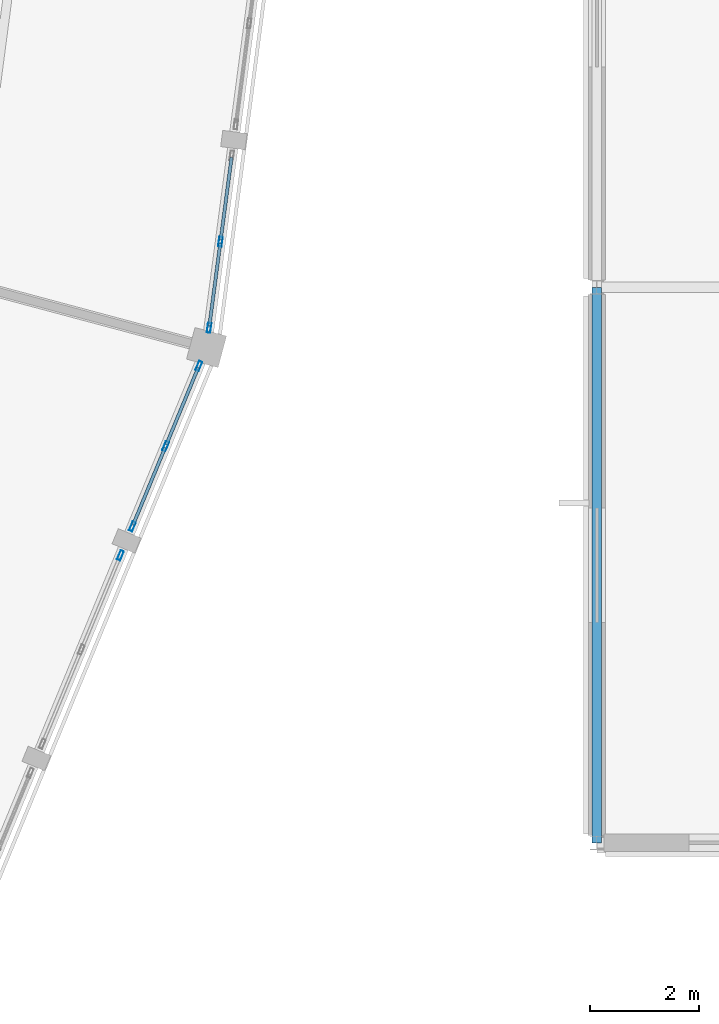
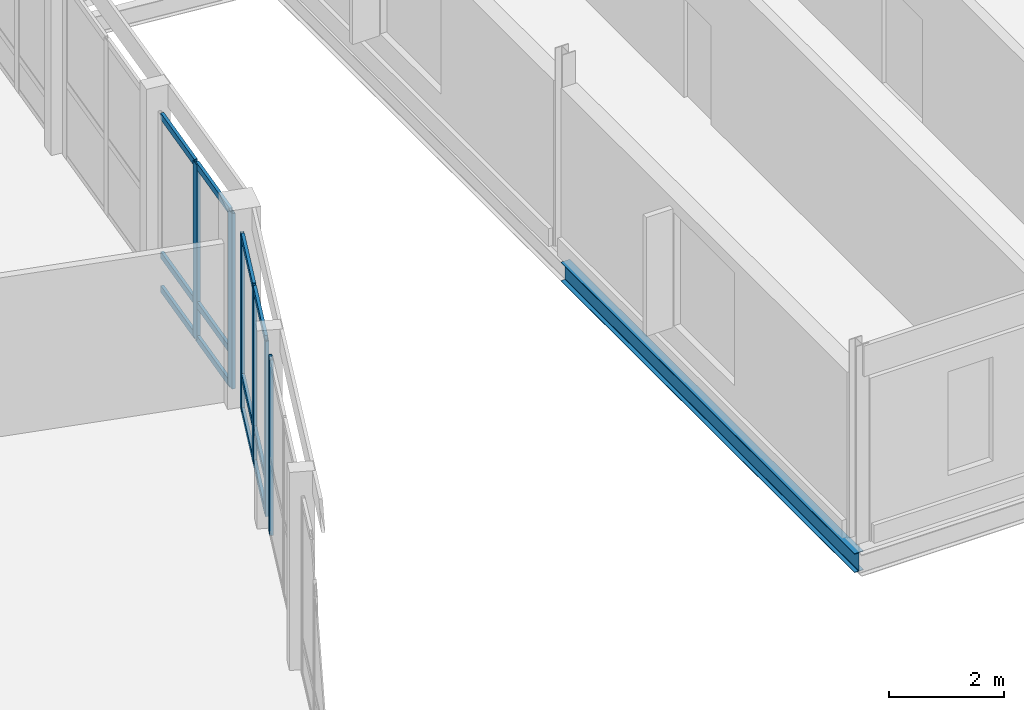
# One storey, part 101 of 170: 18 members, 1 beam, 3 elements without a shape of their own.
"""IFC4 building model written with IfcOpenShell, lengths in metres."""

from ifc_helpers import new_model, si_unit, direction, frame, origin, origin_2d, place, context, subcontext, project, spatial, hollow_rectangle, i_section, extrude, material, material_profile, profile_set, type_object, element, aggregate, save


model = new_model("IFC4")

# Units and contexts
model_context = context("Model", 3, precision=1e-05, world=origin(), true_north=direction((0.0, 1.0)))
body_context = subcontext(model_context, "Body", "Model", "MODEL_VIEW")
ifc_project = project(units=[si_unit("LENGTHUNIT", "METRE"), si_unit("AREAUNIT", "SQUARE_METRE"), si_unit("VOLUMEUNIT", "CUBIC_METRE"), si_unit("PLANEANGLEUNIT", "RADIAN"), si_unit("MASSUNIT", "GRAM", prefix="KILO")], contexts=[model_context])

# Site, building, storey
site_placement = place(None, origin())
site = spatial("IfcSite", under=ifc_project, at=site_placement, CompositionType="ELEMENT")
building_placement = place(site_placement, origin())
building = spatial("IfcBuilding", under=site, at=building_placement, Name="Vondelvale Polytechnic", CompositionType="ELEMENT")
storey_placement = place(building_placement, frame((0.0, 0.0, 5.39990234375)))
storey = spatial("IfcBuildingStorey", under=building, at=storey_placement, Name="L01", CompositionType="ELEMENT", Elevation=5.39990234375)

# Beam
ifc_material_1 = material(Name="Steel 300PLUS (fy = 300 MPa)", Category="steel")
ifc_material_profile_1 = material_profile(ifc_material_1, i_section(OverallWidth=0.177978515625, OverallDepth=0.406005859375, WebThickness=0.0078125, FlangeThickness=0.0126953125, FilletRadius=0.011474609375, at=origin_2d()), Name="410UB59.7")
ifc_profile_set_1 = profile_set([ifc_material_profile_1], Name="Steel 300PLUS (fy = 300 MPa)")
beam_type = type_object("IfcBeamType", Name="BM-UB410", PredefinedType="BEAM", material=ifc_profile_set_1)
beam_placement = place(storey_placement, frame((153.60009765625, 51.0, -0.48291015625), z_axis=(0.0, 1.0, 0.0), x_axis=(-1.0, 0.0, 0.0)))
element("IfcBeam", 1, at=beam_placement, inside=storey, type_object=beam_type, Name="L01 B B-14", PredefinedType="BEAM", context=body_context, shape_type="SweptSolid", body=[
    extrude(i_section(OverallWidth=0.177978515625, OverallDepth=0.406005859375, WebThickness=0.0078125, FlangeThickness=0.0126953125, FilletRadius=0.011474609375, at=origin_2d()), origin(), (0.0, 0.0, 1.0), 10.199951171875),
])

# Curtain wall, member
ifc_material_2 = material(Name="Glulam GL18 structural Tasmanian oak (fb = 42 MPa)", Category="wood")
curtain_wall_type = type_object("IfcCurtainWallType", Name="CW-RING-OUTER", PredefinedType="NOTDEFINED", material=ifc_material_2)
curtain_wall_1_placement = place(storey_placement, origin())
curtain_wall_1 = element("IfcCurtainWall", 2, at=curtain_wall_1_placement, inside=storey, type_object=curtain_wall_type, Name="L01 architectural curtain wall CW-04-364", PredefinedType="NOTDEFINED")
ifc_material_3 = material(Name="Anodised extruded aluminium 6063-T6", Category="aluminium")
ifc_material_profile_2 = material_profile(ifc_material_3, hollow_rectangle(XDim=0.06494140625, YDim=0.179931640625, WallThickness=0.00390625, at=origin_2d()), Name="CW-MUL-180x65")
ifc_profile_set_2 = profile_set([ifc_material_profile_2], Name="Anodised extruded aluminium 6063-T6")
member_type_1 = type_object("IfcMemberType", Name="CW-MUL-65x180", PredefinedType="MULLION", material=ifc_profile_set_2)
member_1_placement = place(storey_placement, frame((144.85205078125, 56.278564453125, 0.0), z_axis=(0.0, 0.0, 1.0), x_axis=(-0.92387490701, 0.382694599123, 0.0)))
member_1 = element("IfcMember", 3, at=member_1_placement, type_object=member_type_1, Name="CW-04-364 mullion 3", PredefinedType="MULLION", context=body_context, shape_type="SweptSolid", body=[
    extrude(hollow_rectangle(XDim=0.06494140625, YDim=0.179931640625, WallThickness=0.00390625, at=origin_2d()), origin(), (0.0, 0.0, 1.0), 3.72021484375),
])
aggregate(curtain_wall_1, [member_1])

# Curtain wall, members
curtain_wall_2_placement = place(storey_placement, origin())
curtain_wall_2 = element("IfcCurtainWall", 4, at=curtain_wall_2_placement, inside=storey, type_object=curtain_wall_type, Name="L01 architectural curtain wall CW-04-365", PredefinedType="NOTDEFINED")
member_2_placement = place(storey_placement, frame((145.072021484375, 56.809814453125, 0.0), z_axis=(0.0, 0.0, 1.0), x_axis=(-0.923882033442, 0.382677394529, 0.0)))
member_2 = element("IfcMember", 5, at=member_2_placement, type_object=member_type_1, Name="CW-04-365 mullion 1", PredefinedType="MULLION", context=body_context, shape_type="SweptSolid", body=[
    extrude(hollow_rectangle(XDim=0.06494140625, YDim=0.179931640625, WallThickness=0.00390625, at=origin_2d()), origin(), (0.0, 0.0, 1.0), 3.72021484375),
])
member_3_placement = place(storey_placement, frame((145.6826171875, 58.283203125, 0.0), z_axis=(0.0, 0.0, 1.0), x_axis=(-0.923882033442, 0.382677394529, 0.0)))
member_3 = element("IfcMember", 6, at=member_3_placement, type_object=member_type_1, Name="CW-04-365 mullion 2", PredefinedType="MULLION", context=body_context, shape_type="SweptSolid", body=[
    extrude(hollow_rectangle(XDim=0.06494140625, YDim=0.179931640625, WallThickness=0.00390625, at=origin_2d()), origin(), (0.0, 0.0, 1.0), 3.72021484375),
])
member_4_placement = place(storey_placement, frame((146.29296875, 59.7568359375, 0.0), z_axis=(0.0, 0.0, 1.0), x_axis=(-0.923882033442, 0.382677394529, 0.0)))
member_4 = element("IfcMember", 7, at=member_4_placement, type_object=member_type_1, Name="CW-04-365 mullion 3", PredefinedType="MULLION", context=body_context, shape_type="SweptSolid", body=[
    extrude(hollow_rectangle(XDim=0.06494140625, YDim=0.179931640625, WallThickness=0.00390625, at=origin_2d()), origin(), (0.0, 0.0, 1.0), 3.72021484375),
])

curtain_wall_3_placement = place(storey_placement, origin())
curtain_wall_3 = element("IfcCurtainWall", 8, at=curtain_wall_3_placement, inside=storey, type_object=curtain_wall_type, Name="L01 architectural curtain wall CW-04-375", PredefinedType="NOTDEFINED")
member_5_placement = place(storey_placement, frame((146.480224609375, 60.45654296875, 0.0), z_axis=(0.0, 0.0, 1.0), x_axis=(-0.991443102996, 0.130539547729, 0.0)))
member_5 = element("IfcMember", 9, at=member_5_placement, type_object=member_type_1, Name="CW-04-375 mullion 1", PredefinedType="MULLION", context=body_context, shape_type="SweptSolid", body=[
    extrude(hollow_rectangle(XDim=0.06494140625, YDim=0.179931640625, WallThickness=0.00390625, at=origin_2d()), origin(), (0.0, 0.0, 1.0), 3.72021484375),
])
member_6_placement = place(storey_placement, frame((146.6884765625, 62.037841796875, 0.0), z_axis=(0.0, 0.0, 1.0), x_axis=(-0.991443102996, 0.130539547729, 0.0)))
member_6 = element("IfcMember", 10, at=member_6_placement, type_object=member_type_1, Name="CW-04-375 mullion 2", PredefinedType="MULLION", context=body_context, shape_type="SweptSolid", body=[
    extrude(hollow_rectangle(XDim=0.06494140625, YDim=0.179931640625, WallThickness=0.00390625, at=origin_2d()), origin(), (0.0, 0.0, 1.0), 3.72021484375),
])

# Member
ifc_material_profile_3 = material_profile(ifc_material_3, hollow_rectangle(XDim=0.06005859375, YDim=0.139892578125, WallThickness=0.00341796875, at=origin_2d()), Name="CW-TRN-140x60")
ifc_profile_set_3 = profile_set([ifc_material_profile_3], Name="Anodised extruded aluminium 6063-T6")
member_type_2 = type_object("IfcMemberType", Name="CW-TRN-60x140", PredefinedType="USERDEFINED", material=ifc_profile_set_3)
member_7_placement = place(storey_placement, frame((145.08447265625, 56.83984375, 0.030029296875), z_axis=(0.382835668721, 0.923816459452, 0.0), x_axis=(-0.923816459452, 0.382835668721, 0.0)))
member_7 = element("IfcMember", 11, at=member_7_placement, type_object=member_type_2, Name="CW-04-365 transom 1.1", ObjectType="TRANSOM", PredefinedType="USERDEFINED", context=body_context, shape_type="SweptSolid", body=[
    extrude(hollow_rectangle(XDim=0.06005859375, YDim=0.139892578125, WallThickness=0.00341796875, at=origin_2d()), origin(), (0.0, 0.0, 1.0), 1.52978515625),
])

member_8_placement = place(storey_placement, frame((145.08447265625, 56.83984375, 0.75), z_axis=(0.382835668721, 0.923816459452, 0.0), x_axis=(-0.923816459452, 0.382835668721, 0.0)))
member_8 = element("IfcMember", 12, at=member_8_placement, type_object=member_type_2, Name="CW-04-365 transom 1.2", ObjectType="TRANSOM", PredefinedType="USERDEFINED", context=body_context, shape_type="SweptSolid", body=[
    extrude(hollow_rectangle(XDim=0.06005859375, YDim=0.139892578125, WallThickness=0.00341796875, at=origin_2d()), origin(), (0.0, 0.0, 1.0), 1.52978515625),
])

member_9_placement = place(storey_placement, frame((145.08447265625, 56.83984375, 3.690185546875), z_axis=(0.382835668721, 0.923816459452, 0.0), x_axis=(-0.923816459452, 0.382835668721, 0.0)))
member_9 = element("IfcMember", 13, at=member_9_placement, type_object=member_type_2, Name="CW-04-365 transom 1.3", ObjectType="TRANSOM", PredefinedType="USERDEFINED", context=body_context, shape_type="SweptSolid", body=[
    extrude(hollow_rectangle(XDim=0.06005859375, YDim=0.139892578125, WallThickness=0.00341796875, at=origin_2d()), origin(), (0.0, 0.0, 1.0), 1.52978515625),
])

member_10_placement = place(storey_placement, frame((145.69482421875, 58.313232421875, 0.030029296875), z_axis=(0.382779237206, 0.923839843027, 0.0), x_axis=(-0.923839843027, 0.382779237206, 0.0)))
member_10 = element("IfcMember", 14, at=member_10_placement, type_object=member_type_2, Name="CW-04-365 transom 2.1", ObjectType="TRANSOM", PredefinedType="USERDEFINED", context=body_context, shape_type="SweptSolid", body=[
    extrude(hollow_rectangle(XDim=0.06005859375, YDim=0.139892578125, WallThickness=0.00341796875, at=origin_2d()), origin(), (0.0, 0.0, 1.0), 1.530029296875),
])

member_11_placement = place(storey_placement, frame((145.69482421875, 58.313232421875, 0.75), z_axis=(0.382779237206, 0.923839843027, 0.0), x_axis=(-0.923839843027, 0.382779237206, 0.0)))
member_11 = element("IfcMember", 15, at=member_11_placement, type_object=member_type_2, Name="CW-04-365 transom 2.2", ObjectType="TRANSOM", PredefinedType="USERDEFINED", context=body_context, shape_type="SweptSolid", body=[
    extrude(hollow_rectangle(XDim=0.06005859375, YDim=0.139892578125, WallThickness=0.00341796875, at=origin_2d()), origin(), (0.0, 0.0, 1.0), 1.530029296875),
])

member_12_placement = place(storey_placement, frame((145.69482421875, 58.313232421875, 3.690185546875), z_axis=(0.382779237206, 0.923839843027, 0.0), x_axis=(-0.923839843027, 0.382779237206, 0.0)))
member_12 = element("IfcMember", 16, at=member_12_placement, type_object=member_type_2, Name="CW-04-365 transom 2.3", ObjectType="TRANSOM", PredefinedType="USERDEFINED", context=body_context, shape_type="SweptSolid", body=[
    extrude(hollow_rectangle(XDim=0.06005859375, YDim=0.139892578125, WallThickness=0.00341796875, at=origin_2d()), origin(), (0.0, 0.0, 1.0), 1.530029296875),
])

aggregate(curtain_wall_2, [member_2, member_3, member_4, member_7, member_8, member_9, member_10, member_11, member_12])

member_13_placement = place(storey_placement, frame((146.484375, 60.488525390625, 0.030029296875), z_axis=(0.13066912162, 0.99142603388, 0.0), x_axis=(-0.99142603388, 0.13066912162, 0.0)))
member_13 = element("IfcMember", 17, at=member_13_placement, type_object=member_type_2, Name="CW-04-375 transom 1.1", ObjectType="TRANSOM", PredefinedType="USERDEFINED", context=body_context, shape_type="SweptSolid", body=[
    extrude(hollow_rectangle(XDim=0.06005859375, YDim=0.139892578125, WallThickness=0.00341796875, at=origin_2d()), origin(), (0.0, 0.0, 1.0), 1.5302734375),
])

member_14_placement = place(storey_placement, frame((146.484375, 60.488525390625, 0.75), z_axis=(0.13066912162, 0.99142603388, 0.0), x_axis=(-0.99142603388, 0.13066912162, 0.0)))
member_14 = element("IfcMember", 18, at=member_14_placement, type_object=member_type_2, Name="CW-04-375 transom 1.2", ObjectType="TRANSOM", PredefinedType="USERDEFINED", context=body_context, shape_type="SweptSolid", body=[
    extrude(hollow_rectangle(XDim=0.06005859375, YDim=0.139892578125, WallThickness=0.00341796875, at=origin_2d()), origin(), (0.0, 0.0, 1.0), 1.5302734375),
])

member_15_placement = place(storey_placement, frame((146.484375, 60.488525390625, 3.690185546875), z_axis=(0.13066912162, 0.99142603388, 0.0), x_axis=(-0.99142603388, 0.13066912162, 0.0)))
member_15 = element("IfcMember", 19, at=member_15_placement, type_object=member_type_2, Name="CW-04-375 transom 1.3", ObjectType="TRANSOM", PredefinedType="USERDEFINED", context=body_context, shape_type="SweptSolid", body=[
    extrude(hollow_rectangle(XDim=0.06005859375, YDim=0.139892578125, WallThickness=0.00341796875, at=origin_2d()), origin(), (0.0, 0.0, 1.0), 1.5302734375),
])

member_16_placement = place(storey_placement, frame((146.692626953125, 62.070068359375, 0.030029296875), z_axis=(0.130532942165, 0.991443972703, 0.0), x_axis=(-0.991443972703, 0.130532942165, 0.0)))
member_16 = element("IfcMember", 20, at=member_16_placement, type_object=member_type_2, Name="CW-04-375 transom 2.1", ObjectType="TRANSOM", PredefinedType="USERDEFINED", context=body_context, shape_type="SweptSolid", body=[
    extrude(hollow_rectangle(XDim=0.06005859375, YDim=0.139892578125, WallThickness=0.00341796875, at=origin_2d()), origin(), (0.0, 0.0, 1.0), 1.530029296875),
])

member_17_placement = place(storey_placement, frame((146.692626953125, 62.070068359375, 0.75), z_axis=(0.130532942165, 0.991443972703, 0.0), x_axis=(-0.991443972703, 0.130532942165, 0.0)))
member_17 = element("IfcMember", 21, at=member_17_placement, type_object=member_type_2, Name="CW-04-375 transom 2.2", ObjectType="TRANSOM", PredefinedType="USERDEFINED", context=body_context, shape_type="SweptSolid", body=[
    extrude(hollow_rectangle(XDim=0.06005859375, YDim=0.139892578125, WallThickness=0.00341796875, at=origin_2d()), origin(), (0.0, 0.0, 1.0), 1.530029296875),
])

member_18_placement = place(storey_placement, frame((146.692626953125, 62.070068359375, 3.690185546875), z_axis=(0.130532942165, 0.991443972703, 0.0), x_axis=(-0.991443972703, 0.130532942165, 0.0)))
member_18 = element("IfcMember", 22, at=member_18_placement, type_object=member_type_2, Name="CW-04-375 transom 2.3", ObjectType="TRANSOM", PredefinedType="USERDEFINED", context=body_context, shape_type="SweptSolid", body=[
    extrude(hollow_rectangle(XDim=0.06005859375, YDim=0.139892578125, WallThickness=0.00341796875, at=origin_2d()), origin(), (0.0, 0.0, 1.0), 1.530029296875),
])

aggregate(curtain_wall_3, [member_5, member_6, member_13, member_14, member_15, member_16, member_17, member_18])

save(model, "model.ifc")
